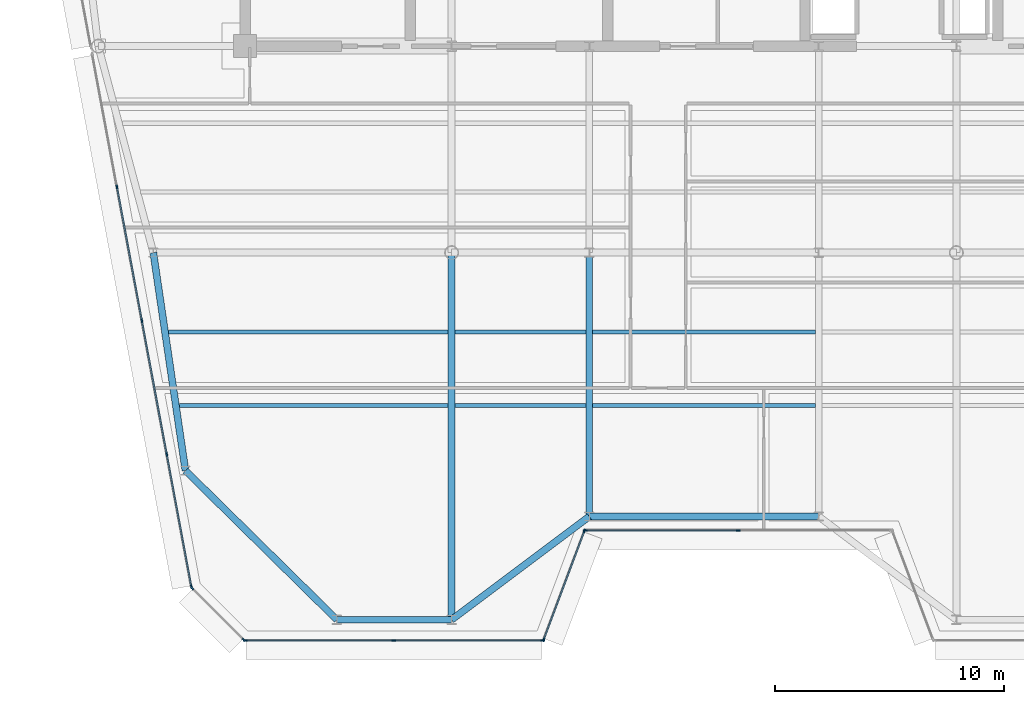
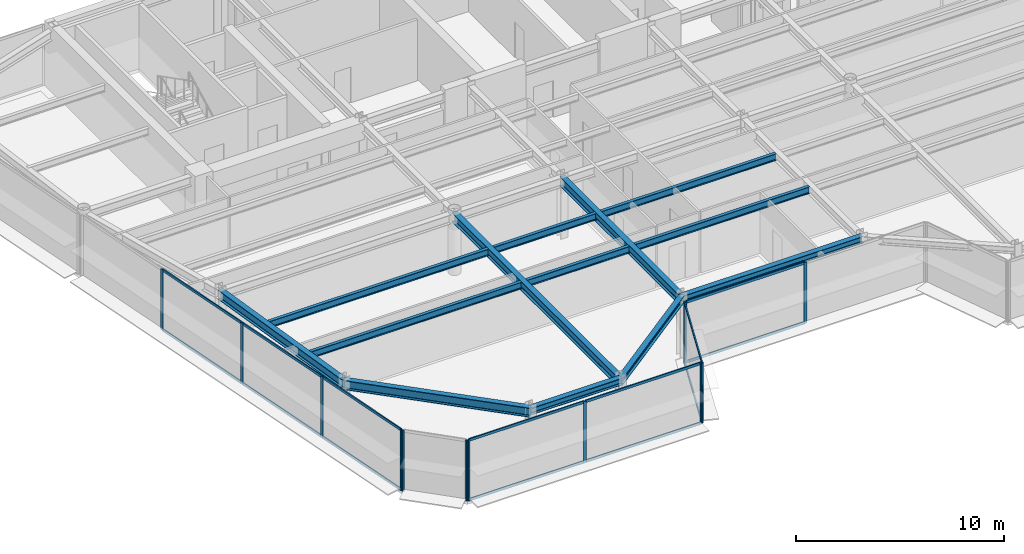
# One storey, part 3 of 18: 27 members, 13 beams, 5 elements without a shape of their own.
"""IFC4 building model written with IfcOpenShell, lengths in metres."""

import ifcopenshell
import ifcopenshell.guid

model = None  # the IFC model being written
_history = None  # IfcOwnerHistory: only IFC2X3 demands one
_inside = {}  # id of a spatial element -> (the spatial element, [elements in it])
_under = {}  # id of a project, library or spatial element -> (it, [spatial elements below it])
_declared = {}  # id of a project -> (the project, [libraries it declares])
_typed = {}  # id of a type object -> (the type object, [elements of that type])
_made_of = {}  # id of a material, layer set ... -> (it, [elements and type objects made of it])


def new_model(schema):
    """Start an empty IFC model of exactly this schema.

    Asked for "IFC4X3", IfcOpenShell would pick the latest addendum, in which some entities
    have other attributes; the version numbers below select the first issue.
    IFC2X3 requires an IfcOwnerHistory on every rooted entity: one is made here for all.
    """
    global model, _history
    if schema == "IFC4X3":
        model = ifcopenshell.file(schema_version=(4, 3, 0, 0))
    else:
        model = ifcopenshell.file(schema=schema)
    _inside.clear()
    _under.clear()
    _declared.clear()
    _typed.clear()
    _made_of.clear()
    _history = None
    if model.schema == "IFC2X3":
        org = make("IfcOrganization", Name="unknown")
        user = make(
            "IfcPersonAndOrganization",
            ThePerson=make("IfcPerson", FamilyName="unknown"),
            TheOrganization=org,
        )
        app = make(
            "IfcApplication",
            ApplicationDeveloper=org,
            Version="unknown",
            ApplicationFullName="unknown",
            ApplicationIdentifier="unknown",
        )
        _history = make(
            "IfcOwnerHistory",
            OwningUser=user,
            OwningApplication=app,
            ChangeAction="ADDED",
            CreationDate=0,
        )
    return model


def make(cls, **values):
    """One entity of the class cls with the attributes given. An attribute that is None is left unset."""
    return model.create_entity(
        cls, **{name: value for name, value in values.items() if value is not None}
    )


def rooted(cls, **values):
    """An entity with a GlobalId (a new one), such as an element, a storey or a relation."""
    return make(cls, GlobalId=ifcopenshell.guid.new(), OwnerHistory=_history, **values)


def si_unit(unit_type, name, prefix=None):
    """IfcSIUnit, for example si_unit("LENGTHUNIT", "METRE", prefix="MILLI")."""
    return make("IfcSIUnit", UnitType=unit_type, Prefix=prefix, Name=name)


def assignment(units):
    """IfcUnitAssignment: the units of a project."""
    return None if units is None else make("IfcUnitAssignment", Units=units)


def point(xyz):
    """IfcCartesianPoint."""
    return None if xyz is None else make("IfcCartesianPoint", Coordinates=xyz)


def direction(xyz):
    """IfcDirection."""
    return None if xyz is None else make("IfcDirection", DirectionRatios=xyz)


def frame(location, z_axis=None, x_axis=None):
    """IfcAxis2Placement3D, a coordinate frame: its origin and axes. An axis left out is left unset."""
    return make(
        "IfcAxis2Placement3D",
        Location=point(location),
        Axis=direction(z_axis),
        RefDirection=direction(x_axis),
    )


def frame_2d(location, x_axis=None):
    """IfcAxis2Placement2D, a coordinate frame in the plane: its origin and x axis."""
    return make(
        "IfcAxis2Placement2D", Location=point(location), RefDirection=direction(x_axis)
    )


def origin():
    """The frame at (0, 0, 0) with its axes left unset."""
    return frame((0.0, 0.0, 0.0))


def origin_2d():
    """The frame at (0, 0) in the plane with its x axis left unset."""
    return frame_2d((0.0, 0.0))


def place(relative_to, where):
    """IfcLocalPlacement: puts the frame where relative to a parent placement (None: the world)."""
    return make(
        "IfcLocalPlacement", PlacementRelTo=relative_to, RelativePlacement=where
    )


def context(
    kind, dimensions, precision=None, world=None, true_north=None, identifier=None
):
    """IfcGeometricRepresentationContext, for example the 3D "Model" context."""
    return make(
        "IfcGeometricRepresentationContext",
        ContextIdentifier=identifier,
        ContextType=kind,
        CoordinateSpaceDimension=dimensions,
        Precision=precision,
        WorldCoordinateSystem=world,
        TrueNorth=true_north,
    )


def subcontext(parent, identifier, kind, view, scale=None):
    """IfcGeometricRepresentationSubContext, for example "Body" below "Model"."""
    return make(
        "IfcGeometricRepresentationSubContext",
        ContextIdentifier=identifier,
        ContextType=kind,
        ParentContext=parent,
        TargetScale=scale,
        TargetView=view,
    )


def project(units=None, contexts=None):
    """IfcProject with its units and contexts."""
    return rooted(
        "IfcProject",
        Name="project",
        RepresentationContexts=contexts,
        UnitsInContext=assignment(units),
    )


def spatial(cls, under=None, at=None, **own):
    """A site, building, storey or space (cls), placed at a placement, below another one or the project."""
    s = rooted(cls, ObjectPlacement=at, **own)
    if under is not None:
        _under.setdefault(under.id(), (under, []))[1].append(s)
    return s


def profile(cls, at=None, kind="AREA", **sizes):
    """A parametric profile (cls). Its sizes go by their IFC names, for example OverallWidth=200.0."""
    return make(cls, ProfileType=kind, Position=at, **sizes)


def rectangle(**sizes):
    """IfcRectangleProfileDef."""
    return profile("IfcRectangleProfileDef", **sizes)


def i_section(**sizes):
    """IfcIShapeProfileDef."""
    return profile("IfcIShapeProfileDef", **sizes)


def extrude(swept, where, along, depth):
    """IfcExtrudedAreaSolid: the profile swept, set in the frame where, extruded along a direction by depth."""
    return make(
        "IfcExtrudedAreaSolid",
        SweptArea=swept,
        Position=where,
        ExtrudedDirection=direction(along),
        Depth=depth,
    )


def shape(context_of_items, identifier, shape_type, items):
    """IfcShapeRepresentation: the items that make up one representation, for example the "Body"."""
    return make(
        "IfcShapeRepresentation",
        ContextOfItems=context_of_items,
        RepresentationIdentifier=identifier,
        RepresentationType=shape_type,
        Items=items,
    )


def source(mapping_origin, context_of_items, identifier, shape_type, items):
    """IfcRepresentationMap: a shape defined once, which mapped items show again and again."""
    return make(
        "IfcRepresentationMap",
        MappingOrigin=mapping_origin,
        MappedRepresentation=shape(context_of_items, identifier, shape_type, items),
    )


def transform(
    local_origin,
    x_axis=None,
    y_axis=None,
    z_axis=None,
    scale=None,
    scale2=None,
    scale3=None,
    uniform=True,
):
    """IfcCartesianTransformationOperator3D, or its non-uniform kind. x_axis, y_axis, z_axis: its Axis1, 2, 3."""
    if uniform:
        return make(
            "IfcCartesianTransformationOperator3D",
            Axis1=direction(x_axis),
            Axis2=direction(y_axis),
            LocalOrigin=point(local_origin),
            Scale=scale,
            Axis3=direction(z_axis),
        )
    return make(
        "IfcCartesianTransformationOperator3DnonUniform",
        Axis1=direction(x_axis),
        Axis2=direction(y_axis),
        LocalOrigin=point(local_origin),
        Scale=scale,
        Axis3=direction(z_axis),
        Scale2=scale2,
        Scale3=scale3,
    )


def mapped(mapping_source, mapping_target):
    """IfcMappedItem: shows the shape of a source again, moved by a transform."""
    return make(
        "IfcMappedItem", MappingSource=mapping_source, MappingTarget=mapping_target
    )


def material(Name=None, Category=None):
    """IfcMaterial."""
    return make("IfcMaterial", Name=Name, Category=Category)


def layer(
    of_material, thickness, ventilated=None, Name=None, Category=None, Priority=None
):
    """IfcMaterialLayer: one layer of a wall or slab, of a material (None: an air gap)."""
    return make(
        "IfcMaterialLayer",
        Material=of_material,
        LayerThickness=thickness,
        IsVentilated=ventilated,
        Name=Name,
        Category=Category,
        Priority=Priority,
    )


def layer_set(layers, Name=None):
    """IfcMaterialLayerSet."""
    return make("IfcMaterialLayerSet", MaterialLayers=layers, LayerSetName=Name)


def material_profile(
    of_material, cross_section, Name=None, Category=None, Priority=None
):
    """IfcMaterialProfile: a cross section and its material."""
    return make(
        "IfcMaterialProfile",
        Name=Name,
        Material=of_material,
        Profile=cross_section,
        Priority=Priority,
        Category=Category,
    )


def profile_set(profiles, Name=None, composite=None):
    """IfcMaterialProfileSet."""
    return make(
        "IfcMaterialProfileSet",
        Name=Name,
        MaterialProfiles=profiles,
        CompositeProfile=composite,
    )


def made_of(thing, what):
    """Note that an element or type object is made of a material, layer set ...; save() writes the relation."""
    if what is not None:
        _made_of.setdefault(what.id(), (what, []))[1].append(thing)
    return thing


def type_object(cls, material=None, **own):
    """A type object (cls), such as IfcWallType, which elements share."""
    return made_of(rooted(cls, **own), material)


def element(
    cls,
    number,
    at=None,
    inside=None,
    cuts=None,
    type_object=None,
    material=None,
    context=None,
    identifier="Body",
    shape_type=None,
    held_by="IfcProductDefinitionShape",
    body=None,
    shapes=None,
    **own,
):
    """One element of the class cls, such as IfcWall. Its Tag is "e" and its number.

    at: its placement. inside: the storey or other place that contains it. cuts: it is an
    opening in that element (IfcRelVoidsElement). A single representation is given by context,
    identifier, shape_type and body (its items); several are given by shapes. held_by: the class
    of the entity that holds the representations. save() writes the other relations.
    """
    e = rooted(cls, Tag="e%d" % number, ObjectPlacement=at, **own)
    if body is not None:
        shapes = [shape(context, identifier, shape_type, body)]
    if shapes is not None:
        e.Representation = make(held_by, Representations=shapes)
    if inside is not None:
        _inside.setdefault(inside.id(), (inside, []))[1].append(e)
    if cuts is not None:
        rooted(
            "IfcRelVoidsElement", RelatingBuildingElement=cuts, RelatedOpeningElement=e
        )
    if type_object is not None:
        _typed.setdefault(type_object.id(), (type_object, []))[1].append(e)
    return made_of(e, material)


def aggregate(whole, parts):
    """IfcRelAggregates: a whole, such as a stair, and the parts it consists of."""
    return rooted("IfcRelAggregates", RelatingObject=whole, RelatedObjects=parts)


def save(model, path):
    """Write the relations noted so far, then the file.

    IfcRelAggregates (storeys below a building ...), IfcRelContainedInSpatialStructure (elements
    in a storey), IfcRelDefinesByType, IfcRelAssociatesMaterial and IfcRelDeclares: one each for
    every whole, place, type object, material and project.
    """
    for whole, parts in _under.values():
        aggregate(whole, parts)
    for where, things in _inside.values():
        rooted(
            "IfcRelContainedInSpatialStructure",
            RelatedElements=things,
            RelatingStructure=where,
        )
    for kind, things in _typed.values():
        rooted("IfcRelDefinesByType", RelatedObjects=things, RelatingType=kind)
    for what, things in _made_of.values():
        rooted("IfcRelAssociatesMaterial", RelatedObjects=things, RelatingMaterial=what)
    for by, libraries in _declared.values():
        rooted("IfcRelDeclares", RelatingContext=by, RelatedDefinitions=libraries)
    model.write(path)


model = new_model("IFC4")

# Units and contexts
model_context = context("Model", 3, precision=1e-05, world=origin(), true_north=direction((0.0, 1.0)))
body_context = subcontext(model_context, "Body", "Model", "MODEL_VIEW")
ifc_project = project(units=[si_unit("LENGTHUNIT", "METRE"), si_unit("AREAUNIT", "SQUARE_METRE"), si_unit("VOLUMEUNIT", "CUBIC_METRE"), si_unit("PLANEANGLEUNIT", "RADIAN"), si_unit("MASSUNIT", "GRAM", prefix="KILO")], contexts=[model_context])

# Site, building, storey
site_placement = place(None, origin())
site = spatial("IfcSite", under=ifc_project, at=site_placement, CompositionType="ELEMENT")
building_placement = place(site_placement, origin())
building = spatial("IfcBuilding", under=site, at=building_placement, Name="Vaeldorn Concourse Tower", CompositionType="ELEMENT")
storey_placement = place(building_placement, frame((0.0, 0.0, 261.199951171875)))
storey = spatial("IfcBuildingStorey", under=building, at=storey_placement, Name="L67", CompositionType="ELEMENT", Elevation=261.199951171875)

# Beams
ifc_material_1 = material(Name="Steel S355", Category="steel")
ifc_material_profile_1 = material_profile(ifc_material_1, i_section(OverallWidth=0.300048828125, OverallDepth=0.39990234375, WebThickness=0.013427734375, FlangeThickness=0.02392578125, FilletRadius=0.027099609375, at=origin_2d()), Name="HEB 400")
ifc_profile_set_1 = profile_set([ifc_material_profile_1], Name="Steel S355")
beam_type_1 = type_object("IfcBeamType", Name="BM-SP-HEB400", PredefinedType="SPANDREL", material=ifc_profile_set_1)
shared_shape_1 = source(origin(), body_context, "Body", "SweptSolid", [
    extrude(i_section(OverallWidth=0.300048828125, OverallDepth=0.39990234375, WebThickness=0.013427734375, FlangeThickness=0.02392578125, FilletRadius=0.027099609375, at=origin_2d()), origin(), (0.0, 0.0, 1.0), 5.0),
])
beam_1_placement = place(storey_placement, frame((18.0, 11.5, 3.380126953125), z_axis=(1.0, 0.0, 0.0), x_axis=(0.0, 1.0, 0.0)))
element("IfcBeam", 1, at=beam_1_placement, inside=storey, type_object=beam_type_1, Name="Beam BM-L67-C-SF1-C-SF2", PredefinedType="SPANDREL", context=body_context, shape_type="MappedRepresentation", body=[
    mapped(shared_shape_1, transform((0.0, 0.0, 0.0), scale=1.0)),
])
shared_shape_2 = source(origin(), body_context, "Body", "SweptSolid", [
    extrude(i_section(OverallWidth=0.300048828125, OverallDepth=0.39990234375, WebThickness=0.013427734375, FlangeThickness=0.02392578125, FilletRadius=0.027099609375, at=origin_2d()), origin(), (0.0, 0.0, 1.0), 7.5),
])
beam_2_placement = place(storey_placement, frame((23.0, 11.5, 3.380126953125), z_axis=(0.8, 0.6, 0.0), x_axis=(-0.6, 0.8, 0.0)))
element("IfcBeam", 2, at=beam_2_placement, inside=storey, type_object=beam_type_1, Name="Beam BM-L67-C-SF2-C-SF3", PredefinedType="SPANDREL", context=body_context, shape_type="MappedRepresentation", body=[
    mapped(shared_shape_2, transform((0.0, 0.0, 0.0), scale=1.0)),
])
shared_shape_3 = source(origin(), body_context, "Body", "SweptSolid", [
    extrude(i_section(OverallWidth=0.300048828125, OverallDepth=0.39990234375, WebThickness=0.013427734375, FlangeThickness=0.02392578125, FilletRadius=0.027099609375, at=origin_2d()), origin(), (0.0, 0.0, 1.0), 10.0),
])
beam_3_placement = place(storey_placement, frame((29.0, 16.0, 3.380126953125), z_axis=(1.0, 0.0, 0.0), x_axis=(0.0, 1.0, 0.0)))
element("IfcBeam", 3, at=beam_3_placement, inside=storey, type_object=beam_type_1, Name="Beam BM-L67-C-SF3-C-SF4", PredefinedType="SPANDREL", context=body_context, shape_type="MappedRepresentation", body=[
    mapped(shared_shape_3, transform((0.0, 0.0, 0.0), scale=1.0)),
])
ifc_material_profile_2 = material_profile(ifc_material_1, i_section(OverallWidth=0.179931640625, OverallDepth=0.39990234375, WebThickness=0.008544921875, FlangeThickness=0.013427734375, FilletRadius=0.02099609375, at=origin_2d()), Name="IPE 400")
ifc_profile_set_2 = profile_set([ifc_material_profile_2], Name="Steel S355")
beam_type_2 = type_object("IfcBeamType", Name="BM-JS-IPE400", PredefinedType="JOIST", material=ifc_profile_set_2)
shared_shape_4 = source(origin(), body_context, "Body", "SweptSolid", [
    extrude(i_section(OverallWidth=0.179931640625, OverallDepth=0.39990234375, WebThickness=0.008544921875, FlangeThickness=0.013427734375, FilletRadius=0.02099609375, at=origin_2d()), origin(), (0.0, 0.0, 1.0), 5.7001953125),
])
for number, where, z_axis, x_axis, name in (
    (4, (23.14990234375, 20.840087890625, 3.380126953125), (1.0, 0.0, 0.0), (0.0, 1.0, 0.0), "Beam JS-L67-W2-208"),
    (5, (23.14990234375, 24.0400390625, 3.380126953125), (1.0, 0.0, 0.0), (0.0, 1.0, 0.0), "Beam JS-L67-W2-240"),
):
    element("IfcBeam", number, at=place(storey_placement, frame(where, z_axis=z_axis, x_axis=x_axis)), inside=storey, type_object=beam_type_2, Name=name, PredefinedType="JOIST", context=body_context, shape_type="MappedRepresentation", body=[
        mapped(shared_shape_4, transform((0.0, 0.0, 0.0), scale=1.0)),
    ])
shared_shape_5 = source(origin(), body_context, "Body", "SweptSolid", [
    extrude(i_section(OverallWidth=0.179931640625, OverallDepth=0.39990234375, WebThickness=0.008544921875, FlangeThickness=0.013427734375, FilletRadius=0.02099609375, at=origin_2d()), origin(), (0.0, 0.0, 1.0), 9.7001953125),
])
for number, where, z_axis, x_axis, name in (
    (6, (29.14990234375, 20.840087890625, 3.380126953125), (1.0, 0.0, 0.0), (0.0, 1.0, 0.0), "Beam JS-L67-C-208"),
    (7, (29.14990234375, 24.0400390625, 3.380126953125), (1.0, 0.0, 0.0), (0.0, 1.0, 0.0), "Beam JS-L67-C-240"),
):
    element("IfcBeam", number, at=place(storey_placement, frame(where, z_axis=z_axis, x_axis=x_axis)), inside=storey, type_object=beam_type_2, Name=name, PredefinedType="JOIST", context=body_context, shape_type="MappedRepresentation", body=[
        mapped(shared_shape_5, transform((0.0, 0.0, 0.0), scale=1.0)),
    ])
shared_shape_6 = source(origin(), body_context, "Body", "SweptSolid", [
    extrude(i_section(OverallWidth=0.179931640625, OverallDepth=0.39990234375, WebThickness=0.008544921875, FlangeThickness=0.013427734375, FilletRadius=0.02099609375, at=origin_2d()), origin(), (0.0, 0.0, 1.0), 11.718505859375),
])
beam_4_placement = place(storey_placement, frame((11.131591796875, 20.840087890625, 3.380126953125), z_axis=(1.0, 0.0, 0.0), x_axis=(0.0, 1.0, 0.0)))
element("IfcBeam", 8, at=beam_4_placement, inside=storey, type_object=beam_type_2, Name="Beam JS-L67-W1-208", PredefinedType="JOIST", context=body_context, shape_type="MappedRepresentation", body=[
    mapped(shared_shape_6, transform((0.0, 0.0, 0.0), scale=1.0)),
])
shared_shape_7 = source(origin(), body_context, "Body", "SweptSolid", [
    extrude(i_section(OverallWidth=0.179931640625, OverallDepth=0.39990234375, WebThickness=0.008544921875, FlangeThickness=0.013427734375, FilletRadius=0.02099609375, at=origin_2d()), origin(), (0.0, 0.0, 1.0), 12.190185546875),
])
beam_5_placement = place(storey_placement, frame((10.659912109375, 24.0400390625, 3.380126953125), z_axis=(1.0, 0.0, 0.0), x_axis=(0.0, 1.0, 0.0)))
element("IfcBeam", 9, at=beam_5_placement, inside=storey, type_object=beam_type_2, Name="Beam JS-L67-W1-240", PredefinedType="JOIST", context=body_context, shape_type="MappedRepresentation", body=[
    mapped(shared_shape_7, transform((0.0, 0.0, 0.0), scale=1.0)),
])
ifc_material_profile_3 = material_profile(ifc_material_1, i_section(OverallWidth=0.300048828125, OverallDepth=0.550048828125, WebThickness=0.014892578125, FlangeThickness=0.029052734375, FilletRadius=0.027099609375, at=origin_2d()), Name="HEB 550")
ifc_profile_set_3 = profile_set([ifc_material_profile_3], Name="Steel S355")
beam_type_3 = type_object("IfcBeamType", Name="BM-PG-HEB550", PredefinedType="BEAM", material=ifc_profile_set_3)
shared_shape_8 = source(origin(), body_context, "Body", "SweptSolid", [
    extrude(i_section(OverallWidth=0.300048828125, OverallDepth=0.550048828125, WebThickness=0.014892578125, FlangeThickness=0.029052734375, FilletRadius=0.027099609375, at=origin_2d()), origin(), (0.0, 0.0, 1.0), 9.6025390625),
])
beam_6_placement = place(storey_placement, frame((10.0, 27.5, 3.304931640625), z_axis=(0.145783835977, -0.989316467652, 0.0), x_axis=(0.989316467652, 0.145783835977, 0.0)))
element("IfcBeam", 10, at=beam_6_placement, inside=storey, type_object=beam_type_3, Name="Beam BM-L67-C-FLW1-C-FLW2", PredefinedType="BEAM", context=body_context, shape_type="MappedRepresentation", body=[
    mapped(shared_shape_8, transform((0.0, 0.0, 0.0), scale=1.0)),
])
shared_shape_9 = source(origin(), body_context, "Body", "SweptSolid", [
    extrude(i_section(OverallWidth=0.300048828125, OverallDepth=0.550048828125, WebThickness=0.014892578125, FlangeThickness=0.029052734375, FilletRadius=0.027099609375, at=origin_2d()), origin(), (0.0, 0.0, 1.0), 9.263427734375),
])
beam_7_placement = place(storey_placement, frame((18.0, 11.5, 3.304931640625), z_axis=(-0.71248897494, 0.701683305053, 0.0), x_axis=(-0.701683305053, -0.71248897494, 0.0)))
element("IfcBeam", 11, at=beam_7_placement, inside=storey, type_object=beam_type_3, Name="Beam BM-L67-C-SF1-C-FLW2", PredefinedType="BEAM", context=body_context, shape_type="MappedRepresentation", body=[
    mapped(shared_shape_9, transform((0.0, 0.0, 0.0), scale=1.0)),
])
shared_shape_10 = source(origin(), body_context, "Body", "SweptSolid", [
    extrude(i_section(OverallWidth=0.300048828125, OverallDepth=0.550048828125, WebThickness=0.014892578125, FlangeThickness=0.029052734375, FilletRadius=0.027099609375, at=origin_2d()), origin(), (0.0, 0.0, 1.0), 16.0),
])
beam_8_placement = place(storey_placement, frame((23.0, 11.5, 3.304931640625), z_axis=(0.0, 1.0, 0.0), x_axis=(-1.0, 0.0, 0.0)))
element("IfcBeam", 12, at=beam_8_placement, inside=storey, type_object=beam_type_3, Name="Beam BM-L67-C-SF2-C-TW1", PredefinedType="BEAM", context=body_context, shape_type="MappedRepresentation", body=[
    mapped(shared_shape_10, transform((0.0, 0.0, 0.0), scale=1.0)),
])
shared_shape_11 = source(origin(), body_context, "Body", "SweptSolid", [
    extrude(i_section(OverallWidth=0.300048828125, OverallDepth=0.550048828125, WebThickness=0.014892578125, FlangeThickness=0.029052734375, FilletRadius=0.027099609375, at=origin_2d()), origin(), (0.0, 0.0, 1.0), 11.5),
])
beam_9_placement = place(storey_placement, frame((29.0, 16.0, 3.304931640625), z_axis=(0.0, 1.0, 0.0), x_axis=(-1.0, 0.0, 0.0)))
element("IfcBeam", 13, at=beam_9_placement, inside=storey, type_object=beam_type_3, Name="Beam BM-L67-C-SF3-C-TW2", PredefinedType="BEAM", context=body_context, shape_type="MappedRepresentation", body=[
    mapped(shared_shape_11, transform((0.0, 0.0, 0.0), scale=1.0)),
])

# Curtain wall, members
ifc_material_2 = material(Name="Anodised Bronze Aluminium", Category="aluminium")
ifc_layer = layer(ifc_material_2, 0.179931640625)
ifc_layer_set = layer_set([ifc_layer], Name="Anodised Bronze Aluminium")
curtain_wall_type = type_object("IfcCurtainWallType", Name="CW-SYS-05", PredefinedType="NOTDEFINED", material=ifc_layer_set)
curtain_wall_1_placement = place(storey_placement, origin())
curtain_wall_1 = element("IfcCurtainWall", 14, at=curtain_wall_1_placement, inside=storey, type_object=curtain_wall_type, Name="Unitised Curtain Wall CW-L67-E02-1", PredefinedType="NOTDEFINED")
ifc_material_profile_4 = material_profile(ifc_material_2, rectangle(XDim=0.06494140625, YDim=0.14990234375, at=origin_2d()), Name="CWT 65x150")
ifc_profile_set_4 = profile_set([ifc_material_profile_4], Name="Anodised Bronze Aluminium")
member_type_1 = type_object("IfcMemberType", Name="CWT-BRONZE-150", PredefinedType="USERDEFINED", material=ifc_profile_set_4)
shared_shape_12 = source(origin(), body_context, "Body", "SweptSolid", [
    extrude(rectangle(XDim=0.06494140625, YDim=0.14990234375, at=origin_2d()), origin(), (0.0, 0.0, 1.0), 4.996337890625),
])
member_1_placement = place(storey_placement, frame((27.022705078125, 10.660888671875, 0.032470703125), z_axis=(0.351134151405, 0.936325161318, 0.0), x_axis=(-0.936325161318, 0.351134151405, 0.0)))
member_1 = element("IfcMember", 15, at=member_1_placement, type_object=member_type_1, Name="CW-05 transom 1.1", ObjectType="TRANSOM", PredefinedType="USERDEFINED", context=body_context, shape_type="MappedRepresentation", body=[
    mapped(shared_shape_12, transform((0.0, 0.0, 0.0), scale=1.0)),
])
member_2_placement = place(storey_placement, frame((27.022705078125, 10.660888671875, 3.547607421875), z_axis=(0.351134151405, 0.936325161318, 0.0), x_axis=(-0.936325161318, 0.351134151405, 0.0)))
member_2 = element("IfcMember", 16, at=member_2_placement, type_object=member_type_1, Name="CW-05 transom 1.2", ObjectType="TRANSOM", PredefinedType="USERDEFINED", context=body_context, shape_type="MappedRepresentation", body=[
    mapped(shared_shape_12, transform((0.0, 0.0, 0.0), scale=1.0)),
])

curtain_wall_2_placement = place(storey_placement, origin())
curtain_wall_2 = element("IfcCurtainWall", 17, at=curtain_wall_2_placement, inside=storey, type_object=curtain_wall_type, Name="Unitised Curtain Wall CW-L67-E03-1", PredefinedType="NOTDEFINED")
shared_shape_13 = source(origin(), body_context, "Body", "SweptSolid", [
    extrude(rectangle(XDim=0.06494140625, YDim=0.14990234375, at=origin_2d()), origin(), (0.0, 0.0, 1.0), 6.6025390625),
])
member_3_placement = place(storey_placement, frame((28.864990234375, 15.39990234375, 0.032470703125), z_axis=(1.0, 0.0, 0.0), x_axis=(0.0, 1.0, 0.0)))
member_3 = element("IfcMember", 18, at=member_3_placement, type_object=member_type_1, Name="CW-05 transom 1.1", ObjectType="TRANSOM", PredefinedType="USERDEFINED", context=body_context, shape_type="MappedRepresentation", body=[
    mapped(shared_shape_13, transform((0.0, 0.0, 0.0), scale=1.0)),
])
member_4_placement = place(storey_placement, frame((28.864990234375, 15.39990234375, 3.547607421875), z_axis=(1.0, 0.0, 0.0), x_axis=(0.0, 1.0, 0.0)))
member_4 = element("IfcMember", 19, at=member_4_placement, type_object=member_type_1, Name="CW-05 transom 1.2", ObjectType="TRANSOM", PredefinedType="USERDEFINED", context=body_context, shape_type="MappedRepresentation", body=[
    mapped(shared_shape_13, transform((0.0, 0.0, 0.0), scale=1.0)),
])

curtain_wall_3_placement = place(storey_placement, origin())
curtain_wall_3 = element("IfcCurtainWall", 20, at=curtain_wall_3_placement, inside=storey, type_object=curtain_wall_type, Name="Unitised Curtain Wall CW-L67-E01-1", PredefinedType="NOTDEFINED")
ifc_material_profile_5 = material_profile(ifc_material_2, rectangle(XDim=0.06494140625, YDim=0.169921875, at=origin_2d()), Name="CWM 65x170")
ifc_profile_set_5 = profile_set([ifc_material_profile_5], Name="Anodised Bronze Aluminium")
member_type_2 = type_object("IfcMemberType", Name="CWM-BRONZE-170", PredefinedType="MULLION", material=ifc_profile_set_5)
shared_shape_14 = source(origin(), body_context, "Body", "SweptSolid", [
    extrude(rectangle(XDim=0.06494140625, YDim=0.169921875, at=origin_2d()), origin(), (0.0, 0.0, 1.0), 3.580078125),
])
member_5_placement = place(storey_placement, frame((13.99853515625, 10.60009765625, 0.0), z_axis=(0.0, 0.0, 1.0), x_axis=(0.0, 1.0, 0.0)))
member_5 = element("IfcMember", 21, at=member_5_placement, type_object=member_type_2, Name="CW-05 mullion 1", PredefinedType="MULLION", context=body_context, shape_type="MappedRepresentation", body=[
    mapped(shared_shape_14, transform((0.0, 0.0, 0.0), scale=1.0)),
])
member_6_placement = place(storey_placement, frame((20.48291015625, 10.60009765625, 0.0), z_axis=(0.0, 0.0, 1.0), x_axis=(0.0, 1.0, 0.0)))
member_6 = element("IfcMember", 22, at=member_6_placement, type_object=member_type_2, Name="CW-05 mullion 2", PredefinedType="MULLION", context=body_context, shape_type="MappedRepresentation", body=[
    mapped(shared_shape_14, transform((0.0, 0.0, 0.0), scale=1.0)),
])
member_7_placement = place(storey_placement, frame((26.967529296875, 10.60009765625, 0.0), z_axis=(0.0, 0.0, 1.0), x_axis=(0.0, 1.0, 0.0)))
member_7 = element("IfcMember", 23, at=member_7_placement, type_object=member_type_2, Name="CW-05 mullion 3", PredefinedType="MULLION", context=body_context, shape_type="MappedRepresentation", body=[
    mapped(shared_shape_14, transform((0.0, 0.0, 0.0), scale=1.0)),
])

# Member
member_8_placement = place(storey_placement, frame((27.011474609375, 10.63037109375, 0.0), z_axis=(0.0, 0.0, 1.0), x_axis=(-0.936329177566, 0.351123441595, 0.0)))
member_8 = element("IfcMember", 24, at=member_8_placement, type_object=member_type_2, Name="CW-05 mullion 1", PredefinedType="MULLION", context=body_context, shape_type="MappedRepresentation", body=[
    mapped(shared_shape_14, transform((0.0, 0.0, 0.0), scale=1.0)),
])

member_9_placement = place(storey_placement, frame((28.78857421875, 15.36962890625, 0.0), z_axis=(0.0, 0.0, 1.0), x_axis=(-0.936329177566, 0.351123441595, 0.0)))
member_9 = element("IfcMember", 25, at=member_9_placement, type_object=member_type_2, Name="CW-05 mullion 2", PredefinedType="MULLION", context=body_context, shape_type="MappedRepresentation", body=[
    mapped(shared_shape_14, transform((0.0, 0.0, 0.0), scale=1.0)),
])

aggregate(curtain_wall_1, [member_8, member_9, member_1, member_2])

member_10_placement = place(storey_placement, frame((28.83251953125, 15.39990234375, 0.0), z_axis=(0.0, 0.0, 1.0), x_axis=(0.0, 1.0, 0.0)))
member_10 = element("IfcMember", 26, at=member_10_placement, type_object=member_type_2, Name="CW-05 mullion 1", PredefinedType="MULLION", context=body_context, shape_type="MappedRepresentation", body=[
    mapped(shared_shape_14, transform((0.0, 0.0, 0.0), scale=1.0)),
])

member_11_placement = place(storey_placement, frame((35.5, 15.39990234375, 0.0), z_axis=(0.0, 0.0, 1.0), x_axis=(0.0, 1.0, 0.0)))
member_11 = element("IfcMember", 27, at=member_11_placement, type_object=member_type_2, Name="CW-05 mullion 2", PredefinedType="MULLION", context=body_context, shape_type="MappedRepresentation", body=[
    mapped(shared_shape_14, transform((0.0, 0.0, 0.0), scale=1.0)),
])

aggregate(curtain_wall_2, [member_10, member_11, member_3, member_4])

# Curtain wall, members
curtain_wall_4_placement = place(storey_placement, origin())
curtain_wall_4 = element("IfcCurtainWall", 28, at=curtain_wall_4_placement, inside=storey, type_object=curtain_wall_type, Name="Unitised Curtain Wall CW-L67-E11-2", PredefinedType="NOTDEFINED")
member_12_placement = place(storey_placement, frame((8.414306640625, 30.36376953125, 0.0), z_axis=(0.0, 0.0, 1.0), x_axis=(0.983102653673, 0.18305510739, 0.0)))
member_12 = element("IfcMember", 29, at=member_12_placement, type_object=member_type_2, Name="CW-05 mullion 2", PredefinedType="MULLION", context=body_context, shape_type="MappedRepresentation", body=[
    mapped(shared_shape_14, transform((0.0, 0.0, 0.0), scale=1.0)),
])
member_13_placement = place(storey_placement, frame((9.498046875, 24.54248046875, 0.0), z_axis=(0.0, 0.0, 1.0), x_axis=(0.983102653673, 0.18305510739, 0.0)))
member_13 = element("IfcMember", 30, at=member_13_placement, type_object=member_type_2, Name="CW-05 mullion 3", PredefinedType="MULLION", context=body_context, shape_type="MappedRepresentation", body=[
    mapped(shared_shape_14, transform((0.0, 0.0, 0.0), scale=1.0)),
])
member_14_placement = place(storey_placement, frame((10.58203125, 18.72119140625, 0.0), z_axis=(0.0, 0.0, 1.0), x_axis=(0.983102653673, 0.18305510739, 0.0)))
member_14 = element("IfcMember", 31, at=member_14_placement, type_object=member_type_2, Name="CW-05 mullion 4", PredefinedType="MULLION", context=body_context, shape_type="MappedRepresentation", body=[
    mapped(shared_shape_14, transform((0.0, 0.0, 0.0), scale=1.0)),
])
member_15_placement = place(storey_placement, frame((11.66015625, 12.931884765625, 0.0), z_axis=(0.0, 0.0, 1.0), x_axis=(0.983102653673, 0.18305510739, 0.0)))
member_15 = element("IfcMember", 32, at=member_15_placement, type_object=member_type_2, Name="CW-05 mullion 5", PredefinedType="MULLION", context=body_context, shape_type="MappedRepresentation", body=[
    mapped(shared_shape_14, transform((0.0, 0.0, 0.0), scale=1.0)),
])

curtain_wall_5_placement = place(storey_placement, origin())
curtain_wall_5 = element("IfcCurtainWall", 33, at=curtain_wall_5_placement, inside=storey, type_object=curtain_wall_type, Name="Unitised Curtain Wall CW-L67-E12-1", PredefinedType="NOTDEFINED")
member_16_placement = place(storey_placement, frame((11.68896484375, 12.876953125, 0.0), z_axis=(0.0, 0.0, 1.0), x_axis=(0.707106781187, 0.707106781187, 0.0)))
member_16 = element("IfcMember", 34, at=member_16_placement, type_object=member_type_2, Name="CW-05 mullion 1", PredefinedType="MULLION", context=body_context, shape_type="MappedRepresentation", body=[
    mapped(shared_shape_14, transform((0.0, 0.0, 0.0), scale=1.0)),
])
member_17_placement = place(storey_placement, frame((13.943115234375, 10.623046875, 0.0), z_axis=(0.0, 0.0, 1.0), x_axis=(0.707106781187, 0.707106781187, 0.0)))
member_17 = element("IfcMember", 35, at=member_17_placement, type_object=member_type_2, Name="CW-05 mullion 2", PredefinedType="MULLION", context=body_context, shape_type="MappedRepresentation", body=[
    mapped(shared_shape_14, transform((0.0, 0.0, 0.0), scale=1.0)),
])
aggregate(curtain_wall_5, [member_16, member_17])

# Member
shared_shape_15 = source(origin(), body_context, "Body", "SweptSolid", [
    extrude(rectangle(XDim=0.06494140625, YDim=0.14990234375, at=origin_2d()), origin(), (0.0, 0.0, 1.0), 5.82373046875),
])
member_18_placement = place(storey_placement, frame((10.588134765625, 18.689208984375, 0.032470703125), z_axis=(0.183030414843, -0.983107251139, 0.0), x_axis=(0.983107251139, 0.183030414843, 0.0)))
member_18 = element("IfcMember", 36, at=member_18_placement, type_object=member_type_1, Name="CW-05 transom 4.1", ObjectType="TRANSOM", PredefinedType="USERDEFINED", context=body_context, shape_type="MappedRepresentation", body=[
    mapped(shared_shape_15, transform((0.0, 0.0, 0.0), scale=1.0)),
])

member_19_placement = place(storey_placement, frame((10.588134765625, 18.689208984375, 3.547607421875), z_axis=(0.183030414843, -0.983107251139, 0.0), x_axis=(0.983107251139, 0.183030414843, 0.0)))
member_19 = element("IfcMember", 37, at=member_19_placement, type_object=member_type_1, Name="CW-05 transom 4.2", ObjectType="TRANSOM", PredefinedType="USERDEFINED", context=body_context, shape_type="MappedRepresentation", body=[
    mapped(shared_shape_15, transform((0.0, 0.0, 0.0), scale=1.0)),
])

shared_shape_16 = source(origin(), body_context, "Body", "SweptSolid", [
    extrude(rectangle(XDim=0.06494140625, YDim=0.14990234375, at=origin_2d()), origin(), (0.0, 0.0, 1.0), 5.856201171875),
])
member_20_placement = place(storey_placement, frame((8.420166015625, 30.331787109375, 0.032470703125), z_axis=(0.18305503402, -0.983102667334, 0.0), x_axis=(0.983102667334, 0.18305503402, 0.0)))
member_20 = element("IfcMember", 38, at=member_20_placement, type_object=member_type_1, Name="CW-05 transom 2.1", ObjectType="TRANSOM", PredefinedType="USERDEFINED", context=body_context, shape_type="MappedRepresentation", body=[
    mapped(shared_shape_16, transform((0.0, 0.0, 0.0), scale=1.0)),
])

member_21_placement = place(storey_placement, frame((8.420166015625, 30.331787109375, 3.547607421875), z_axis=(0.18305503402, -0.983102667334, 0.0), x_axis=(0.983102667334, 0.18305503402, 0.0)))
member_21 = element("IfcMember", 39, at=member_21_placement, type_object=member_type_1, Name="CW-05 transom 2.2", ObjectType="TRANSOM", PredefinedType="USERDEFINED", context=body_context, shape_type="MappedRepresentation", body=[
    mapped(shared_shape_16, transform((0.0, 0.0, 0.0), scale=1.0)),
])

member_22_placement = place(storey_placement, frame((9.504150390625, 24.510498046875, 0.032470703125), z_axis=(0.18305503402, -0.983102667334, 0.0), x_axis=(0.983102667334, 0.18305503402, 0.0)))
member_22 = element("IfcMember", 40, at=member_22_placement, type_object=member_type_1, Name="CW-05 transom 3.1", ObjectType="TRANSOM", PredefinedType="USERDEFINED", context=body_context, shape_type="MappedRepresentation", body=[
    mapped(shared_shape_16, transform((0.0, 0.0, 0.0), scale=1.0)),
])

member_23_placement = place(storey_placement, frame((9.504150390625, 24.510498046875, 3.547607421875), z_axis=(0.18305503402, -0.983102667334, 0.0), x_axis=(0.983102667334, 0.18305503402, 0.0)))
member_23 = element("IfcMember", 41, at=member_23_placement, type_object=member_type_1, Name="CW-05 transom 3.2", ObjectType="TRANSOM", PredefinedType="USERDEFINED", context=body_context, shape_type="MappedRepresentation", body=[
    mapped(shared_shape_16, transform((0.0, 0.0, 0.0), scale=1.0)),
])

aggregate(curtain_wall_4, [member_12, member_13, member_14, member_15, member_20, member_21, member_22, member_23, member_18, member_19])

shared_shape_17 = source(origin(), body_context, "Body", "SweptSolid", [
    extrude(rectangle(XDim=0.06494140625, YDim=0.14990234375, at=origin_2d()), origin(), (0.0, 0.0, 1.0), 6.41943359375),
])
member_24_placement = place(storey_placement, frame((14.031005859375, 10.60009765625, 0.032470703125), z_axis=(1.0, 0.0, 0.0), x_axis=(0.0, 1.0, 0.0)))
member_24 = element("IfcMember", 42, at=member_24_placement, type_object=member_type_1, Name="CW-05 transom 1.1", ObjectType="TRANSOM", PredefinedType="USERDEFINED", context=body_context, shape_type="MappedRepresentation", body=[
    mapped(shared_shape_17, transform((0.0, 0.0, 0.0), scale=1.0)),
])

member_25_placement = place(storey_placement, frame((14.031005859375, 10.60009765625, 3.547607421875), z_axis=(1.0, 0.0, 0.0), x_axis=(0.0, 1.0, 0.0)))
member_25 = element("IfcMember", 43, at=member_25_placement, type_object=member_type_1, Name="CW-05 transom 1.2", ObjectType="TRANSOM", PredefinedType="USERDEFINED", context=body_context, shape_type="MappedRepresentation", body=[
    mapped(shared_shape_17, transform((0.0, 0.0, 0.0), scale=1.0)),
])

shared_shape_18 = source(origin(), body_context, "Body", "SweptSolid", [
    extrude(rectangle(XDim=0.06494140625, YDim=0.14990234375, at=origin_2d()), origin(), (0.0, 0.0, 1.0), 6.419677734375),
])
member_26_placement = place(storey_placement, frame((20.515380859375, 10.60009765625, 0.032470703125), z_axis=(1.0, 0.0, 0.0), x_axis=(0.0, 1.0, 0.0)))
member_26 = element("IfcMember", 44, at=member_26_placement, type_object=member_type_1, Name="CW-05 transom 2.1", ObjectType="TRANSOM", PredefinedType="USERDEFINED", context=body_context, shape_type="MappedRepresentation", body=[
    mapped(shared_shape_18, transform((0.0, 0.0, 0.0), scale=1.0)),
])

member_27_placement = place(storey_placement, frame((20.515380859375, 10.60009765625, 3.547607421875), z_axis=(1.0, 0.0, 0.0), x_axis=(0.0, 1.0, 0.0)))
member_27 = element("IfcMember", 45, at=member_27_placement, type_object=member_type_1, Name="CW-05 transom 2.2", ObjectType="TRANSOM", PredefinedType="USERDEFINED", context=body_context, shape_type="MappedRepresentation", body=[
    mapped(shared_shape_18, transform((0.0, 0.0, 0.0), scale=1.0)),
])

aggregate(curtain_wall_3, [member_5, member_6, member_7, member_24, member_25, member_26, member_27])

save(model, "model.ifc")
